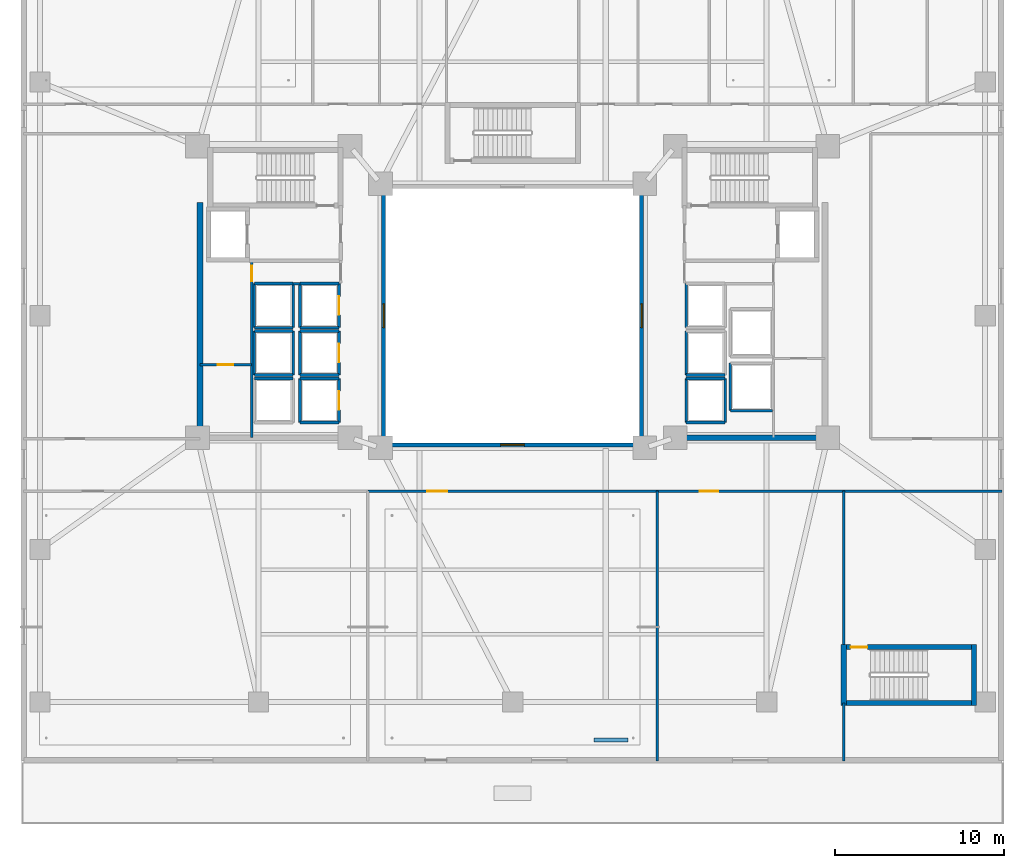
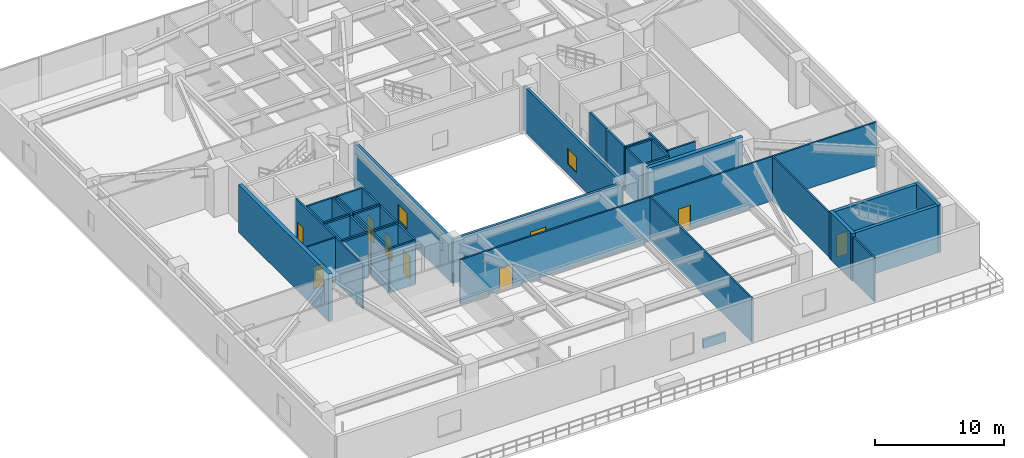
# One storey, part 9 of 22: 48 walls, 8 doors, 3 windows, 11 openings.
"""IFC4 building model written with IfcOpenShell, lengths in metres."""

from ifc_helpers import new_model, si_unit, direction, frame, frame_2d, origin, place, context, subcontext, project, spatial, rectangle, extrude, material, layer, layer_set, type_object, element, fill, save


model = new_model("IFC4")

# Units and contexts
model_context = context("Model", 3, precision=1e-05, world=origin(), true_north=direction((0.0, 1.0)))
body_context = subcontext(model_context, "Body", "Model", "MODEL_VIEW")
ifc_project = project(units=[si_unit("LENGTHUNIT", "METRE"), si_unit("AREAUNIT", "SQUARE_METRE"), si_unit("VOLUMEUNIT", "CUBIC_METRE"), si_unit("PLANEANGLEUNIT", "RADIAN"), si_unit("MASSUNIT", "GRAM", prefix="KILO")], contexts=[model_context])

# Site, building, storey
site_placement = place(None, origin())
site = spatial("IfcSite", under=ifc_project, at=site_placement, CompositionType="ELEMENT")
building_placement = place(site_placement, origin())
building = spatial("IfcBuilding", under=site, at=building_placement, Name="Tarnavaz Court Tower", CompositionType="ELEMENT")
storey_placement = place(building_placement, frame((0.0, 0.0, 14.39990234375)))
storey = spatial("IfcBuildingStorey", under=building, at=storey_placement, Name="L03", CompositionType="ELEMENT", Elevation=14.39990234375)

# Wall, opening, door
ifc_material_1 = material(Name="Concrete C60/75", Category="concrete")
ifc_layer_1 = layer(ifc_material_1, 0.300048828125)
ifc_layer_set_1 = layer_set([ifc_layer_1], Name="Concrete C60/75")
wall_type_1 = type_object("IfcWallType", Name="WL-CORE-300-C60", PredefinedType="SHEAR", material=ifc_layer_set_1)
wall_1_placement = place(storey_placement, frame((19.39990234375, -19.56005859375, 0.0), z_axis=(0.0, 0.0, 1.0), x_axis=(1.0, 0.0, 0.0)))
wall_1 = element("IfcWall", 1, at=wall_1_placement, inside=storey, type_object=wall_type_1, Name="L03 Podium Stair Core Wall 013", PredefinedType="SHEAR", context=body_context, shape_type="SweptSolid", body=[
    extrude(rectangle(XDim=8.0, YDim=0.300048828125, at=frame_2d((4.0, 0.0))), origin(), (0.0, 0.0, 1.0), 4.5),
])
opening_1_placement = place(wall_1_placement, frame((0.550048828125, 0.0, 0.0)))
opening_1 = element("IfcOpeningElement", 2, at=opening_1_placement, cuts=wall_1, Name="Opening D01", PredefinedType="OPENING", context=body_context, shape_type="SweptSolid", body=[
    extrude(rectangle(XDim=1.0, YDim=2.14990234375, at=frame_2d((0.5, 1.074951171875))), frame((0.0, 0.159912109375, 0.0), z_axis=(0.0, -1.0, 0.0), x_axis=(1.0, 0.0, 0.0)), (0.0, 0.0, 1.0), 0.320068359375),
])
ifc_material_2 = material(Name="Fire-Rated Hardwood Timber Core", Category="wood")
door_type_1 = type_object("IfcDoorType", Name="DR-FD90-1000", OperationType="NOTDEFINED", PredefinedType="DOOR", material=ifc_material_2)
door_1_placement = place(opening_1_placement, origin())
door_1 = element("IfcDoor", 3, at=door_1_placement, inside=storey, type_object=door_type_1, Name="L03 Stair ST-P1 Exit Door", OperationType="SINGLE_SWING_RIGHT", OverallHeight=2.14990234375, OverallWidth=1.0, PredefinedType="DOOR", context=body_context, shape_type="SweptSolid", body=[
    extrude(rectangle(XDim=1.0, YDim=2.14990234375, at=frame_2d((0.5, 1.074951171875))), frame((0.0, 0.02490234375, 0.0), z_axis=(0.0, -1.0, 0.0), x_axis=(1.0, 0.0, 0.0)), (0.0, 0.0, 1.0), 0.050048828125),
])
fill(opening_1, door_1)

# Walls
wall_2_placement = place(storey_placement, frame((19.39990234375, -22.85009765625, 0.0), z_axis=(0.0, 0.0, 1.0), x_axis=(1.0, 0.0, 0.0)))
element("IfcWall", 4, at=wall_2_placement, inside=storey, type_object=wall_type_1, Name="L03 Podium Stair Core Wall 014", PredefinedType="SHEAR", context=body_context, shape_type="SweptSolid", body=[
    extrude(rectangle(XDim=8.0, YDim=0.300048828125, at=frame_2d((4.0, 0.0))), origin(), (0.0, 0.0, 1.0), 4.5),
])
for number, where, z_axis, x_axis, name in (
    (5, (19.550048828125, -23.0, 0.0), (0.0, 0.0, 1.0), (0.0, 1.0, 0.0), "L03 Podium Stair Core Wall 015"),
    (6, (27.25, -23.0, 0.0), (0.0, 0.0, 1.0), (0.0, 1.0, 0.0), "L03 Podium Stair Core Wall 016"),
):
    element("IfcWall", number, at=place(storey_placement, frame(where, z_axis=z_axis, x_axis=x_axis)), inside=storey, type_object=wall_type_1, Name=name, PredefinedType="SHEAR", context=body_context, shape_type="SweptSolid", body=[
        extrude(rectangle(XDim=3.590087890625, YDim=0.300048828125, at=frame_2d((1.794921875, 0.0))), origin(), (0.0, 0.0, 1.0), 4.5),
    ])
ifc_layer_2 = layer(ifc_material_1, 0.35009765625)
ifc_layer_set_2 = layer_set([ifc_layer_2], Name="Concrete C60/75")
wall_type_2 = type_object("IfcWallType", Name="WL-CORE-350-C60", PredefinedType="SHEAR", material=ifc_layer_set_2)
wall_3_placement = place(storey_placement, frame((-18.449951171875, -7.375, 0.0), z_axis=(0.0, 0.0, 1.0), x_axis=(0.0, 1.0, 0.0)))
element("IfcWall", 7, at=wall_3_placement, inside=storey, type_object=wall_type_2, Name="L03 West Core Shear Wall 073", PredefinedType="SHEAR", context=body_context, shape_type="SweptSolid", body=[
    extrude(rectangle(XDim=14.050048828125, YDim=0.35009765625, at=frame_2d((7.02490234375, 0.0))), origin(), (0.0, 0.0, 1.0), 4.5),
])
wall_4_placement = place(storey_placement, frame((10.074951171875, -7.199951171875, 0.0), z_axis=(0.0, 0.0, 1.0), x_axis=(1.0, 0.0, 0.0)))
element("IfcWall", 8, at=wall_4_placement, inside=storey, type_object=wall_type_2, Name="L03 East Core South Shear Wall 076", PredefinedType="SHEAR", context=body_context, shape_type="SweptSolid", body=[
    extrude(rectangle(XDim=8.550048828125, YDim=0.35009765625, at=frame_2d((4.27490234375, 0.0))), origin(), (0.0, 0.0, 1.0), 4.5),
])

# Wall, opening, door
ifc_material_3 = material(Name="Gypsum Fire-Board on Acoustic Metal Stud", Category="masonry")
ifc_layer_3 = layer(ifc_material_3, 0.14990234375)
ifc_layer_set_3 = layer_set([ifc_layer_3], Name="Gypsum Fire-Board on Acoustic Metal Stud")
wall_type_3 = type_object("IfcWallType", Name="WL-FIRE-150", PredefinedType="PARTITIONING", material=ifc_layer_set_3)
wall_5_placement = place(storey_placement, frame((-8.550048828125, -10.35009765625, 0.0), z_axis=(0.0, 0.0, 1.0), x_axis=(1.0, 0.0, 0.0)))
wall_5 = element("IfcWall", 9, at=wall_5_placement, inside=storey, type_object=wall_type_3, Name="L03 South Ring Corridor Wall 089", PredefinedType="PARTITIONING", context=body_context, shape_type="SweptSolid", body=[
    extrude(rectangle(XDim=17.10009765625, YDim=0.14990234375, at=frame_2d((8.550048828125, 0.0))), origin(), (0.0, 0.0, 1.0), 4.2001953125),
])
opening_2_placement = place(wall_5_placement, frame((3.5, 0.0, 0.0)))
opening_2 = element("IfcOpeningElement", 10, at=opening_2_placement, cuts=wall_5, Name="Opening D11", PredefinedType="OPENING", context=body_context, shape_type="SweptSolid", body=[
    extrude(rectangle(XDim=1.199951171875, YDim=2.14990234375, at=frame_2d((0.60009765625, 1.074951171875))), frame((0.0, 0.0849609375, 0.0), z_axis=(0.0, -1.0, 0.0), x_axis=(1.0, 0.0, 0.0)), (0.0, 0.0, 1.0), 0.169921875),
])
ifc_material_4 = material(Name="Engineered Oak Timber", Category="wood")
door_type_2 = type_object("IfcDoorType", Name="DR-INT-1200", OperationType="NOTDEFINED", PredefinedType="DOOR", material=ifc_material_4)
door_2_placement = place(opening_2_placement, origin())
door_2 = element("IfcDoor", 11, at=door_2_placement, inside=storey, type_object=door_type_2, Name="L03 Parent and Community Welfare Lounge Door", OperationType="SINGLE_SWING_LEFT", OverallHeight=2.14990234375, OverallWidth=1.199951171875, PredefinedType="DOOR", context=body_context, shape_type="SweptSolid", body=[
    extrude(rectangle(XDim=1.199951171875, YDim=2.14990234375, at=frame_2d((0.60009765625, 1.074951171875))), frame((0.0, 0.02490234375, 0.0), z_axis=(0.0, -1.0, 0.0), x_axis=(1.0, 0.0, 0.0)), (0.0, 0.0, 1.0), 0.050048828125),
])
fill(opening_2, door_2)

wall_6_placement = place(storey_placement, frame((8.550048828125, -10.35009765625, 0.0), z_axis=(0.0, 0.0, 1.0), x_axis=(1.0, 0.0, 0.0)))
wall_6 = element("IfcWall", 12, at=wall_6_placement, inside=storey, type_object=wall_type_3, Name="L03 SE Corridor Wall 090", PredefinedType="PARTITIONING", context=body_context, shape_type="SweptSolid", body=[
    extrude(rectangle(XDim=20.329833984375, YDim=0.14990234375, at=frame_2d((10.1650390625, 0.0))), origin(), (0.0, 0.0, 1.0), 4.2001953125),
])
opening_3_placement = place(wall_6_placement, frame((2.5, 0.0, 0.0)))
opening_3 = element("IfcOpeningElement", 13, at=opening_3_placement, cuts=wall_6, Name="Opening D12", PredefinedType="OPENING", context=body_context, shape_type="SweptSolid", body=[
    extrude(rectangle(XDim=1.080078125, YDim=2.14990234375, at=frame_2d((0.5400390625, 1.074951171875))), frame((0.0, 0.0849609375, 0.0), z_axis=(0.0, -1.0, 0.0), x_axis=(1.0, 0.0, 0.0)), (0.0, 0.0, 1.0), 0.169921875),
])
door_type_3 = type_object("IfcDoorType", Name="DR-INT-1100", OperationType="NOTDEFINED", PredefinedType="DOOR", material=ifc_material_4)
door_3_placement = place(opening_3_placement, origin())
door_3 = element("IfcDoor", 14, at=door_3_placement, inside=storey, type_object=door_type_3, Name="L03 South-East Treatment Door", OperationType="SINGLE_SWING_RIGHT", OverallHeight=2.14990234375, OverallWidth=1.080078125, PredefinedType="DOOR", context=body_context, shape_type="SweptSolid", body=[
    extrude(rectangle(XDim=1.080078125, YDim=2.14990234375, at=frame_2d((0.5400390625, 1.074951171875))), frame((0.0, 0.02490234375, 0.0), z_axis=(0.0, -1.0, 0.0), x_axis=(1.0, 0.0, 0.0)), (0.0, 0.0, 1.0), 0.050048828125),
])
fill(opening_3, door_3)

# Walls
ifc_material_5 = material(Name="Precast Concrete C40/50", Category="concrete")
ifc_layer_4 = layer(ifc_material_5, 0.219970703125)
ifc_layer_set_4 = layer_set([ifc_layer_4], Name="Precast Concrete C40/50")
wall_type_4 = type_object("IfcWallType", Name="WL-PARAPET-220", PredefinedType="PARAPET", material=ifc_layer_set_4)
wall_7_placement = place(storey_placement, frame((4.800048828125, -25.050048828125, 0.0), z_axis=(0.0, 0.0, 1.0), x_axis=(1.0, 0.0, 0.0)))
element("IfcWall", 15, at=wall_7_placement, inside=storey, type_object=wall_type_4, Name="L03 South Prow Terracotta Parapet Upstand", PredefinedType="PARAPET", context=body_context, shape_type="SweptSolid", body=[
    extrude(rectangle(XDim=2.0, YDim=0.219970703125, at=frame_2d((1.0, 0.0))), origin(), (0.0, 0.0, 1.0), 0.85009765625),
])
ifc_material_6 = material(Name="Gypsum Plasterboard Acoustic Partition", Category="masonry")
ifc_layer_5 = layer(ifc_material_6, 0.139892578125)
ifc_layer_set_5 = layer_set([ifc_layer_5], Name="Gypsum Plasterboard Acoustic Partition")
wall_type_5 = type_object("IfcWallType", Name="WL-PART-150", PredefinedType="PARTITIONING", material=ifc_layer_set_5)
wall_8_placement = place(storey_placement, frame((-12.949951171875, 1.89990234375, 0.0), z_axis=(0.0, 0.0, 1.0), x_axis=(1.0, 0.0, 0.0)))
element("IfcWall", 16, at=wall_8_placement, inside=storey, type_object=wall_type_5, Name="L03 Interior Partition 077", PredefinedType="PARTITIONING", context=body_context, shape_type="SweptSolid", body=[
    extrude(rectangle(XDim=0.39990234375, YDim=0.139892578125, at=frame_2d((0.199951171875, 0.0))), origin(), (0.0, 0.0, 1.0), 4.2001953125),
])

# Wall, opening, door
wall_9_placement = place(storey_placement, frame((-15.39990234375, -7.199951171875, 0.0), z_axis=(0.0, 0.0, 1.0), x_axis=(0.0, 1.0, 0.0)))
wall_9 = element("IfcWall", 17, at=wall_9_placement, inside=storey, type_object=wall_type_5, Name="L03 Interior Partition 079", PredefinedType="PARTITIONING", context=body_context, shape_type="SweptSolid", body=[
    extrude(rectangle(XDim=10.449951171875, YDim=0.139892578125, at=frame_2d((5.22509765625, 0.0))), origin(), (0.0, 0.0, 1.0), 4.2001953125),
])
opening_4_placement = place(wall_9_placement, frame((9.25, 0.0, 0.0)))
opening_4 = element("IfcOpeningElement", 18, at=opening_4_placement, cuts=wall_9, Name="Opening D09", PredefinedType="OPENING", context=body_context, shape_type="SweptSolid", body=[
    extrude(rectangle(XDim=0.89990234375, YDim=2.080078125, at=frame_2d((0.449951171875, 1.0400390625))), frame((0.0, 0.079833984375, 0.0), z_axis=(0.0, -1.0, 0.0), x_axis=(1.0, 0.0, 0.0)), (0.0, 0.0, 1.0), 0.159912109375),
])
door_type_4 = type_object("IfcDoorType", Name="DR-FD30-900", OperationType="NOTDEFINED", PredefinedType="DOOR", material=ifc_material_2)
door_4_placement = place(opening_4_placement, origin())
door_4 = element("IfcDoor", 19, at=door_4_placement, inside=storey, type_object=door_type_4, Name="L03 West Valve Room Door", OperationType="SINGLE_SWING_LEFT", OverallHeight=2.080078125, OverallWidth=0.89990234375, PredefinedType="DOOR", context=body_context, shape_type="SweptSolid", body=[
    extrude(rectangle(XDim=0.89990234375, YDim=2.080078125, at=frame_2d((0.449951171875, 1.0400390625))), frame((0.0, 0.02490234375, 0.0), z_axis=(0.0, -1.0, 0.0), x_axis=(1.0, 0.0, 0.0)), (0.0, 0.0, 1.0), 0.050048828125),
])
fill(opening_4, door_4)

wall_10_placement = place(storey_placement, frame((-18.449951171875, -2.89990234375, 0.0), z_axis=(0.0, 0.0, 1.0), x_axis=(1.0, 0.0, 0.0)))
wall_10 = element("IfcWall", 20, at=wall_10_placement, inside=storey, type_object=wall_type_5, Name="L03 Interior Partition 080", PredefinedType="PARTITIONING", context=body_context, shape_type="SweptSolid", body=[
    extrude(rectangle(XDim=3.050048828125, YDim=0.139892578125, at=frame_2d((1.52490234375, 0.0))), origin(), (0.0, 0.0, 1.0), 4.2001953125),
])
opening_5_placement = place(wall_10_placement, frame((1.050048828125, 0.0, 0.0)))
opening_5 = element("IfcOpeningElement", 21, at=opening_5_placement, cuts=wall_10, Name="Opening D09", PredefinedType="OPENING", context=body_context, shape_type="SweptSolid", body=[
    extrude(rectangle(XDim=0.89990234375, YDim=2.080078125, at=frame_2d((0.449951171875, 1.0400390625))), frame((0.0, 0.079833984375, 0.0), z_axis=(0.0, -1.0, 0.0), x_axis=(1.0, 0.0, 0.0)), (0.0, 0.0, 1.0), 0.159912109375),
])
door_5_placement = place(opening_5_placement, origin())
door_5 = element("IfcDoor", 22, at=door_5_placement, inside=storey, type_object=door_type_4, Name="L03 West Power Plant Door", OperationType="SINGLE_SWING_RIGHT", OverallHeight=2.080078125, OverallWidth=0.89990234375, PredefinedType="DOOR", context=body_context, shape_type="SweptSolid", body=[
    extrude(rectangle(XDim=0.89990234375, YDim=2.080078125, at=frame_2d((0.449951171875, 1.0400390625))), frame((0.0, 0.02490234375, 0.0), z_axis=(0.0, -1.0, 0.0), x_axis=(1.0, 0.0, 0.0)), (0.0, 0.0, 1.0), 0.050048828125),
])
fill(opening_5, door_5)

# Walls
wall_11_placement = place(storey_placement, frame((8.550048828125, -26.280029296875, 0.0), z_axis=(0.0, 0.0, 1.0), x_axis=(0.0, 1.0, 0.0)))
element("IfcWall", 23, at=wall_11_placement, inside=storey, type_object=wall_type_5, Name="L03 Interior Partition 100", PredefinedType="PARTITIONING", context=body_context, shape_type="SweptSolid", body=[
    extrude(rectangle(XDim=15.929931640625, YDim=0.139892578125, at=frame_2d((7.96484375, 0.0))), origin(), (0.0, 0.0, 1.0), 4.2001953125),
])
wall_12_placement = place(storey_placement, frame((19.550048828125, -26.280029296875, 0.0), z_axis=(0.0, 0.0, 1.0), x_axis=(0.0, 1.0, 0.0)))
element("IfcWall", 24, at=wall_12_placement, inside=storey, type_object=wall_type_5, Name="L03 Interior Partition 101", PredefinedType="PARTITIONING", context=body_context, shape_type="SweptSolid", body=[
    extrude(rectangle(XDim=3.429931640625, YDim=0.139892578125, at=frame_2d((1.71484375, 0.0))), origin(), (0.0, 0.0, 1.0), 4.2001953125),
])
wall_13_placement = place(storey_placement, frame((19.550048828125, -19.56005859375, 0.0), z_axis=(0.0, 0.0, 1.0), x_axis=(0.0, 1.0, 0.0)))
element("IfcWall", 25, at=wall_13_placement, inside=storey, type_object=wall_type_5, Name="L03 Interior Partition 102", PredefinedType="PARTITIONING", context=body_context, shape_type="SweptSolid", body=[
    extrude(rectangle(XDim=9.2099609375, YDim=0.139892578125, at=frame_2d((4.60498046875, 0.0))), origin(), (0.0, 0.0, 1.0), 4.2001953125),
])
ifc_material_7 = material(Name="Autoclaved Aerated Concrete Blockwork", Category="masonry")
ifc_layer_6 = layer(ifc_material_7, 0.159912109375)
ifc_layer_set_6 = layer_set([ifc_layer_6], Name="Autoclaved Aerated Concrete Blockwork")
wall_type_6 = type_object("IfcWallType", Name="WL-SHAFT-150", PredefinedType="SOLIDWALL", material=ifc_layer_set_6)
wall_14_placement = place(storey_placement, frame((-12.550048828125, -6.300048828125, 0.0), z_axis=(0.0, 0.0, 1.0), x_axis=(0.0, 1.0, 0.0)))
element("IfcWall", 26, at=wall_14_placement, inside=storey, type_object=wall_type_6, Name="L03 Lift PL-L1 Shaft Wall 025", PredefinedType="SOLIDWALL", context=body_context, shape_type="SweptSolid", body=[
    extrude(rectangle(XDim=2.60009765625, YDim=0.159912109375, at=frame_2d((1.300048828125, 0.0))), origin(), (0.0, 0.0, 1.0), 4.2001953125),
])

# Wall, opening, door
wall_15_placement = place(storey_placement, frame((-10.25, -6.300048828125, 0.0), z_axis=(0.0, 0.0, 1.0), x_axis=(0.0, 1.0, 0.0)))
wall_15 = element("IfcWall", 27, at=wall_15_placement, inside=storey, type_object=wall_type_6, Name="L03 Lift PL-L1 Shaft Wall 026", PredefinedType="SOLIDWALL", context=body_context, shape_type="SweptSolid", body=[
    extrude(rectangle(XDim=2.60009765625, YDim=0.159912109375, at=frame_2d((1.300048828125, 0.0))), origin(), (0.0, 0.0, 1.0), 4.2001953125),
])
opening_6_placement = place(wall_15_placement, frame((0.75, 0.0, 0.0)))
opening_6 = element("IfcOpeningElement", 28, at=opening_6_placement, cuts=wall_15, Name="Opening LD1", PredefinedType="OPENING", context=body_context, shape_type="SweptSolid", body=[
    extrude(rectangle(XDim=1.10009765625, YDim=2.14990234375, at=frame_2d((0.550048828125, 1.074951171875))), frame((0.0, 0.08984375, 0.0), z_axis=(0.0, -1.0, 0.0), x_axis=(1.0, 0.0, 0.0)), (0.0, 0.0, 1.0), 0.179931640625),
])
ifc_material_8 = material(Name="Stainless Steel", Category="steel")
door_type_5 = type_object("IfcDoorType", Name="DR-LD-1100", OperationType="NOTDEFINED", PredefinedType="DOOR", material=ifc_material_8)
door_6_placement = place(opening_6_placement, origin())
door_6 = element("IfcDoor", 29, at=door_6_placement, inside=storey, type_object=door_type_5, Name="L03 Lift Landing Door LD-PL-L1", OperationType="SLIDING_TO_LEFT", OverallHeight=2.14990234375, OverallWidth=1.10009765625, PredefinedType="DOOR", context=body_context, shape_type="SweptSolid", body=[
    extrude(rectangle(XDim=1.10009765625, YDim=2.14990234375, at=frame_2d((0.550048828125, 1.074951171875))), frame((0.0, 0.02490234375, 0.0), z_axis=(0.0, -1.0, 0.0), x_axis=(1.0, 0.0, 0.0)), (0.0, 0.0, 1.0), 0.050048828125),
])
fill(opening_6, door_6)

# Walls
for number, where, z_axis, x_axis, name in (
    (30, (-12.550048828125, -6.300048828125, 0.0), (0.0, 0.0, 1.0), (1.0, 0.0, 0.0), "L03 Lift PL-L1 Shaft Wall 027"),
    (31, (-12.550048828125, -3.699951171875, 0.0), (0.0, 0.0, 1.0), (1.0, 0.0, 0.0), "L03 Lift PL-L1 Shaft Wall 028"),
):
    element("IfcWall", number, at=place(storey_placement, frame(where, z_axis=z_axis, x_axis=x_axis)), inside=storey, type_object=wall_type_6, Name=name, PredefinedType="SOLIDWALL", context=body_context, shape_type="SweptSolid", body=[
        extrude(rectangle(XDim=2.300048828125, YDim=0.159912109375, at=frame_2d((1.14990234375, 0.0))), origin(), (0.0, 0.0, 1.0), 4.2001953125),
    ])
wall_16_placement = place(storey_placement, frame((-12.550048828125, -3.5, 0.0), z_axis=(0.0, 0.0, 1.0), x_axis=(0.0, 1.0, 0.0)))
element("IfcWall", 32, at=wall_16_placement, inside=storey, type_object=wall_type_6, Name="L03 Lift PL-L2 Shaft Wall 029", PredefinedType="SOLIDWALL", context=body_context, shape_type="SweptSolid", body=[
    extrude(rectangle(XDim=2.60009765625, YDim=0.159912109375, at=frame_2d((1.300048828125, 0.0))), origin(), (0.0, 0.0, 1.0), 4.2001953125),
])

# Wall, opening, door
wall_17_placement = place(storey_placement, frame((-10.25, -3.5, 0.0), z_axis=(0.0, 0.0, 1.0), x_axis=(0.0, 1.0, 0.0)))
wall_17 = element("IfcWall", 33, at=wall_17_placement, inside=storey, type_object=wall_type_6, Name="L03 Lift PL-L2 Shaft Wall 030", PredefinedType="SOLIDWALL", context=body_context, shape_type="SweptSolid", body=[
    extrude(rectangle(XDim=2.60009765625, YDim=0.159912109375, at=frame_2d((1.300048828125, 0.0))), origin(), (0.0, 0.0, 1.0), 4.2001953125),
])
opening_7_placement = place(wall_17_placement, frame((0.75, 0.0, 0.0)))
opening_7 = element("IfcOpeningElement", 34, at=opening_7_placement, cuts=wall_17, Name="Opening LD1", PredefinedType="OPENING", context=body_context, shape_type="SweptSolid", body=[
    extrude(rectangle(XDim=1.10009765625, YDim=2.14990234375, at=frame_2d((0.550048828125, 1.074951171875))), frame((0.0, 0.08984375, 0.0), z_axis=(0.0, -1.0, 0.0), x_axis=(1.0, 0.0, 0.0)), (0.0, 0.0, 1.0), 0.179931640625),
])
door_7_placement = place(opening_7_placement, origin())
door_7 = element("IfcDoor", 35, at=door_7_placement, inside=storey, type_object=door_type_5, Name="L03 Lift Landing Door LD-PL-L2", OperationType="SLIDING_TO_LEFT", OverallHeight=2.14990234375, OverallWidth=1.10009765625, PredefinedType="DOOR", context=body_context, shape_type="SweptSolid", body=[
    extrude(rectangle(XDim=1.10009765625, YDim=2.14990234375, at=frame_2d((0.550048828125, 1.074951171875))), frame((0.0, 0.02490234375, 0.0), z_axis=(0.0, -1.0, 0.0), x_axis=(1.0, 0.0, 0.0)), (0.0, 0.0, 1.0), 0.050048828125),
])
fill(opening_7, door_7)

# Walls
for number, where, z_axis, x_axis, name in (
    (36, (-12.550048828125, -3.5, 0.0), (0.0, 0.0, 1.0), (1.0, 0.0, 0.0), "L03 Lift PL-L2 Shaft Wall 031"),
    (37, (-12.550048828125, -0.89990234375, 0.0), (0.0, 0.0, 1.0), (1.0, 0.0, 0.0), "L03 Lift PL-L2 Shaft Wall 032"),
):
    element("IfcWall", number, at=place(storey_placement, frame(where, z_axis=z_axis, x_axis=x_axis)), inside=storey, type_object=wall_type_6, Name=name, PredefinedType="SOLIDWALL", context=body_context, shape_type="SweptSolid", body=[
        extrude(rectangle(XDim=2.300048828125, YDim=0.159912109375, at=frame_2d((1.14990234375, 0.0))), origin(), (0.0, 0.0, 1.0), 4.2001953125),
    ])
wall_18_placement = place(storey_placement, frame((-12.550048828125, -0.699951171875, 0.0), z_axis=(0.0, 0.0, 1.0), x_axis=(0.0, 1.0, 0.0)))
element("IfcWall", 38, at=wall_18_placement, inside=storey, type_object=wall_type_6, Name="L03 Lift PL-L3 Shaft Wall 033", PredefinedType="SOLIDWALL", context=body_context, shape_type="SweptSolid", body=[
    extrude(rectangle(XDim=2.599853515625, YDim=0.159912109375, at=frame_2d((1.2998046875, 0.0))), origin(), (0.0, 0.0, 1.0), 4.2001953125),
])

# Wall, opening, door
wall_19_placement = place(storey_placement, frame((-10.25, -0.699951171875, 0.0), z_axis=(0.0, 0.0, 1.0), x_axis=(0.0, 1.0, 0.0)))
wall_19 = element("IfcWall", 39, at=wall_19_placement, inside=storey, type_object=wall_type_6, Name="L03 Lift PL-L3 Shaft Wall 034", PredefinedType="SOLIDWALL", context=body_context, shape_type="SweptSolid", body=[
    extrude(rectangle(XDim=2.599853515625, YDim=0.159912109375, at=frame_2d((1.2998046875, 0.0))), origin(), (0.0, 0.0, 1.0), 4.2001953125),
])
opening_8_placement = place(wall_19_placement, frame((0.75, 0.0, 0.0)))
opening_8 = element("IfcOpeningElement", 40, at=opening_8_placement, cuts=wall_19, Name="Opening LD1", PredefinedType="OPENING", context=body_context, shape_type="SweptSolid", body=[
    extrude(rectangle(XDim=1.10009765625, YDim=2.14990234375, at=frame_2d((0.550048828125, 1.074951171875))), frame((0.0, 0.08984375, 0.0), z_axis=(0.0, -1.0, 0.0), x_axis=(1.0, 0.0, 0.0)), (0.0, 0.0, 1.0), 0.179931640625),
])
door_8_placement = place(opening_8_placement, origin())
door_8 = element("IfcDoor", 41, at=door_8_placement, inside=storey, type_object=door_type_5, Name="L03 Lift Landing Door LD-PL-L3", OperationType="SLIDING_TO_LEFT", OverallHeight=2.14990234375, OverallWidth=1.10009765625, PredefinedType="DOOR", context=body_context, shape_type="SweptSolid", body=[
    extrude(rectangle(XDim=1.10009765625, YDim=2.14990234375, at=frame_2d((0.550048828125, 1.074951171875))), frame((0.0, 0.02490234375, 0.0), z_axis=(0.0, -1.0, 0.0), x_axis=(1.0, 0.0, 0.0)), (0.0, 0.0, 1.0), 0.050048828125),
])
fill(opening_8, door_8)

# Walls
for number, where, z_axis, x_axis, name in (
    (42, (-12.550048828125, -0.699951171875, 0.0), (0.0, 0.0, 1.0), (1.0, 0.0, 0.0), "L03 Lift PL-L3 Shaft Wall 035"),
    (43, (-12.550048828125, 1.89990234375, 0.0), (0.0, 0.0, 1.0), (1.0, 0.0, 0.0), "L03 Lift PL-L3 Shaft Wall 036"),
    (44, (-15.25, -3.699951171875, 0.0), (0.0, 0.0, 1.0), (1.0, 0.0, 0.0), "L03 Lift PL-H1 Shaft Wall 040"),
):
    element("IfcWall", number, at=place(storey_placement, frame(where, z_axis=z_axis, x_axis=x_axis)), inside=storey, type_object=wall_type_6, Name=name, PredefinedType="SOLIDWALL", context=body_context, shape_type="SweptSolid", body=[
        extrude(rectangle(XDim=2.300048828125, YDim=0.159912109375, at=frame_2d((1.14990234375, 0.0))), origin(), (0.0, 0.0, 1.0), 4.2001953125),
    ])
for number, where, z_axis, x_axis, name in (
    (45, (-15.25, -3.5, 0.0), (0.0, 0.0, 1.0), (0.0, 1.0, 0.0), "L03 Lift PL-H2 Shaft Wall 041"),
    (46, (-12.949951171875, -3.5, 0.0), (0.0, 0.0, 1.0), (0.0, 1.0, 0.0), "L03 Lift PL-H2 Shaft Wall 042"),
):
    element("IfcWall", number, at=place(storey_placement, frame(where, z_axis=z_axis, x_axis=x_axis)), inside=storey, type_object=wall_type_6, Name=name, PredefinedType="SOLIDWALL", context=body_context, shape_type="SweptSolid", body=[
        extrude(rectangle(XDim=2.60009765625, YDim=0.159912109375, at=frame_2d((1.300048828125, 0.0))), origin(), (0.0, 0.0, 1.0), 4.2001953125),
    ])
for number, where, z_axis, x_axis, name in (
    (47, (-15.25, -3.5, 0.0), (0.0, 0.0, 1.0), (1.0, 0.0, 0.0), "L03 Lift PL-H2 Shaft Wall 043"),
    (48, (-15.25, -0.89990234375, 0.0), (0.0, 0.0, 1.0), (1.0, 0.0, 0.0), "L03 Lift PL-H2 Shaft Wall 044"),
):
    element("IfcWall", number, at=place(storey_placement, frame(where, z_axis=z_axis, x_axis=x_axis)), inside=storey, type_object=wall_type_6, Name=name, PredefinedType="SOLIDWALL", context=body_context, shape_type="SweptSolid", body=[
        extrude(rectangle(XDim=2.300048828125, YDim=0.159912109375, at=frame_2d((1.14990234375, 0.0))), origin(), (0.0, 0.0, 1.0), 4.2001953125),
    ])
for number, where, z_axis, x_axis, name in (
    (49, (-15.25, -0.699951171875, 0.0), (0.0, 0.0, 1.0), (0.0, 1.0, 0.0), "L03 Lift PL-H3 Shaft Wall 045"),
    (50, (-12.949951171875, -0.699951171875, 0.0), (0.0, 0.0, 1.0), (0.0, 1.0, 0.0), "L03 Lift PL-H3 Shaft Wall 046"),
):
    element("IfcWall", number, at=place(storey_placement, frame(where, z_axis=z_axis, x_axis=x_axis)), inside=storey, type_object=wall_type_6, Name=name, PredefinedType="SOLIDWALL", context=body_context, shape_type="SweptSolid", body=[
        extrude(rectangle(XDim=2.599853515625, YDim=0.159912109375, at=frame_2d((1.2998046875, 0.0))), origin(), (0.0, 0.0, 1.0), 4.2001953125),
    ])
for number, where, z_axis, x_axis, name in (
    (51, (-15.25, -0.699951171875, 0.0), (0.0, 0.0, 1.0), (1.0, 0.0, 0.0), "L03 Lift PL-H3 Shaft Wall 047"),
    (52, (-15.25, 1.89990234375, 0.0), (0.0, 0.0, 1.0), (1.0, 0.0, 0.0), "L03 Lift PL-H3 Shaft Wall 048"),
):
    element("IfcWall", number, at=place(storey_placement, frame(where, z_axis=z_axis, x_axis=x_axis)), inside=storey, type_object=wall_type_6, Name=name, PredefinedType="SOLIDWALL", context=body_context, shape_type="SweptSolid", body=[
        extrude(rectangle(XDim=2.300048828125, YDim=0.159912109375, at=frame_2d((1.14990234375, 0.0))), origin(), (0.0, 0.0, 1.0), 4.2001953125),
    ])
for number, where, z_axis, x_axis, name in (
    (53, (10.25, -6.300048828125, 0.0), (0.0, 0.0, 1.0), (0.0, 1.0, 0.0), "L03 Lift PL-M1 Shaft Wall 053"),
    (54, (12.550048828125, -6.300048828125, 0.0), (0.0, 0.0, 1.0), (0.0, 1.0, 0.0), "L03 Lift PL-M1 Shaft Wall 054"),
):
    element("IfcWall", number, at=place(storey_placement, frame(where, z_axis=z_axis, x_axis=x_axis)), inside=storey, type_object=wall_type_6, Name=name, PredefinedType="SOLIDWALL", context=body_context, shape_type="SweptSolid", body=[
        extrude(rectangle(XDim=2.60009765625, YDim=0.159912109375, at=frame_2d((1.300048828125, 0.0))), origin(), (0.0, 0.0, 1.0), 4.2001953125),
    ])
for number, where, z_axis, x_axis, name in (
    (55, (10.25, -6.300048828125, 0.0), (0.0, 0.0, 1.0), (1.0, 0.0, 0.0), "L03 Lift PL-M1 Shaft Wall 055"),
    (56, (10.25, -3.699951171875, 0.0), (0.0, 0.0, 1.0), (1.0, 0.0, 0.0), "L03 Lift PL-M1 Shaft Wall 056"),
):
    element("IfcWall", number, at=place(storey_placement, frame(where, z_axis=z_axis, x_axis=x_axis)), inside=storey, type_object=wall_type_6, Name=name, PredefinedType="SOLIDWALL", context=body_context, shape_type="SweptSolid", body=[
        extrude(rectangle(XDim=2.300048828125, YDim=0.159912109375, at=frame_2d((1.14990234375, 0.0))), origin(), (0.0, 0.0, 1.0), 4.2001953125),
    ])
wall_20_placement = place(storey_placement, frame((10.25, -3.5, 0.0), z_axis=(0.0, 0.0, 1.0), x_axis=(0.0, 1.0, 0.0)))
element("IfcWall", 57, at=wall_20_placement, inside=storey, type_object=wall_type_6, Name="L03 Lift PL-M2 Shaft Wall 057", PredefinedType="SOLIDWALL", context=body_context, shape_type="SweptSolid", body=[
    extrude(rectangle(XDim=2.60009765625, YDim=0.159912109375, at=frame_2d((1.300048828125, 0.0))), origin(), (0.0, 0.0, 1.0), 4.2001953125),
])
wall_21_placement = place(storey_placement, frame((10.25, -3.5, 0.0), z_axis=(0.0, 0.0, 1.0), x_axis=(1.0, 0.0, 0.0)))
element("IfcWall", 58, at=wall_21_placement, inside=storey, type_object=wall_type_6, Name="L03 Lift PL-M2 Shaft Wall 059", PredefinedType="SOLIDWALL", context=body_context, shape_type="SweptSolid", body=[
    extrude(rectangle(XDim=2.300048828125, YDim=0.159912109375, at=frame_2d((1.14990234375, 0.0))), origin(), (0.0, 0.0, 1.0), 4.2001953125),
])
wall_22_placement = place(storey_placement, frame((10.25, -0.699951171875, 0.0), z_axis=(0.0, 0.0, 1.0), x_axis=(0.0, 1.0, 0.0)))
element("IfcWall", 59, at=wall_22_placement, inside=storey, type_object=wall_type_6, Name="L03 Lift PL-M3 Shaft Wall 061", PredefinedType="SOLIDWALL", context=body_context, shape_type="SweptSolid", body=[
    extrude(rectangle(XDim=2.599853515625, YDim=0.159912109375, at=frame_2d((1.2998046875, 0.0))), origin(), (0.0, 0.0, 1.0), 4.2001953125),
])
wall_23_placement = place(storey_placement, frame((12.85009765625, -5.60009765625, 0.0), z_axis=(0.0, 0.0, 1.0), x_axis=(0.0, 1.0, 0.0)))
element("IfcWall", 60, at=wall_23_placement, inside=storey, type_object=wall_type_6, Name="L03 Lift PL-OB1 Shaft Wall 065", PredefinedType="SOLIDWALL", context=body_context, shape_type="SweptSolid", body=[
    extrude(rectangle(XDim=2.800048828125, YDim=0.159912109375, at=frame_2d((1.39990234375, 0.0))), origin(), (0.0, 0.0, 1.0), 4.2001953125),
])
wall_24_placement = place(storey_placement, frame((12.85009765625, -5.60009765625, 0.0), z_axis=(0.0, 0.0, 1.0), x_axis=(1.0, 0.0, 0.0)))
element("IfcWall", 61, at=wall_24_placement, inside=storey, type_object=wall_type_6, Name="L03 Lift PL-OB1 Shaft Wall 067", PredefinedType="SOLIDWALL", context=body_context, shape_type="SweptSolid", body=[
    extrude(rectangle(XDim=2.5, YDim=0.159912109375, at=frame_2d((1.25, 0.0))), origin(), (0.0, 0.0, 1.0), 4.2001953125),
])

# Wall, opening, window
ifc_layer_7 = layer(ifc_material_5, 0.239990234375)
ifc_layer_set_7 = layer_set([ifc_layer_7], Name="Precast Concrete C40/50")
wall_type_7 = type_object("IfcWallType", Name="WL-WELL-240", PredefinedType="SOLIDWALL", material=ifc_layer_set_7)
wall_25_placement = place(storey_placement, frame((-7.6201171875, -7.6201171875, 0.0), z_axis=(0.0, 0.0, 1.0), x_axis=(1.0, 0.0, 0.0)))
wall_25 = element("IfcWall", 62, at=wall_25_placement, inside=storey, type_object=wall_type_7, Name="L03 Badgir Light-Well Exterior Wall S", PredefinedType="SOLIDWALL", context=body_context, shape_type="SweptSolid", body=[
    extrude(rectangle(XDim=15.240234375, YDim=0.239990234375, at=frame_2d((7.6201171875, 0.0))), origin(), (0.0, 0.0, 1.0), 4.2001953125),
])
opening_9_placement = place(wall_25_placement, frame((6.919921875, 0.0, 0.949951171875)))
opening_9 = element("IfcOpeningElement", 63, at=opening_9_placement, cuts=wall_25, Name="Opening W13", PredefinedType="OPENING", context=body_context, shape_type="SweptSolid", body=[
    extrude(rectangle(XDim=1.39990234375, YDim=1.5, at=frame_2d((0.699951171875, 0.75))), frame((0.0, 0.1298828125, 0.0), z_axis=(0.0, -1.0, 0.0), x_axis=(1.0, 0.0, 0.0)), (0.0, 0.0, 1.0), 0.260009765625),
])
ifc_material_9 = material(Name="Double-Glazed Solar Low-E Glass", Category="glass")
window_type = type_object("IfcWindowType", Name="WN-WEL-1400", PartitioningType="SINGLE_PANEL", PredefinedType="WINDOW", material=ifc_material_9)
window_1_placement = place(opening_9_placement, origin())
window_1 = element("IfcWindow", 64, at=window_1_placement, inside=storey, type_object=window_type, Name="L03 Courtyard Gallery Window S", OverallHeight=1.5, OverallWidth=1.39990234375, PartitioningType="SINGLE_PANEL", PredefinedType="WINDOW", context=body_context, shape_type="SweptSolid", body=[
    extrude(rectangle(XDim=1.39990234375, YDim=1.5, at=frame_2d((0.699951171875, 0.75))), frame((0.0, 0.030029296875, 0.0), z_axis=(0.0, -1.0, 0.0), x_axis=(1.0, 0.0, 0.0)), (0.0, 0.0, 1.0), 0.06005859375),
])
fill(opening_9, window_1)

wall_26_placement = place(storey_placement, frame((7.6201171875, -7.6201171875, 0.0), z_axis=(0.0, 0.0, 1.0), x_axis=(0.0, 1.0, 0.0)))
wall_26 = element("IfcWall", 65, at=wall_26_placement, inside=storey, type_object=wall_type_7, Name="L03 Badgir Light-Well Exterior Wall E", PredefinedType="SOLIDWALL", context=body_context, shape_type="SweptSolid", body=[
    extrude(rectangle(XDim=15.240234375, YDim=0.239990234375, at=frame_2d((7.6201171875, 0.0))), origin(), (0.0, 0.0, 1.0), 4.2001953125),
])
opening_10_placement = place(wall_26_placement, frame((6.919921875, 0.0, 0.949951171875)))
opening_10 = element("IfcOpeningElement", 66, at=opening_10_placement, cuts=wall_26, Name="Opening W13", PredefinedType="OPENING", context=body_context, shape_type="SweptSolid", body=[
    extrude(rectangle(XDim=1.39990234375, YDim=1.5, at=frame_2d((0.699951171875, 0.75))), frame((0.0, 0.1298828125, 0.0), z_axis=(0.0, -1.0, 0.0), x_axis=(1.0, 0.0, 0.0)), (0.0, 0.0, 1.0), 0.260009765625),
])
window_2_placement = place(opening_10_placement, origin())
window_2 = element("IfcWindow", 67, at=window_2_placement, inside=storey, type_object=window_type, Name="L03 Courtyard Gallery Window E", OverallHeight=1.5, OverallWidth=1.39990234375, PartitioningType="SINGLE_PANEL", PredefinedType="WINDOW", context=body_context, shape_type="SweptSolid", body=[
    extrude(rectangle(XDim=1.39990234375, YDim=1.5, at=frame_2d((0.699951171875, 0.75))), frame((0.0, 0.030029296875, 0.0), z_axis=(0.0, -1.0, 0.0), x_axis=(1.0, 0.0, 0.0)), (0.0, 0.0, 1.0), 0.06005859375),
])
fill(opening_10, window_2)

wall_27_placement = place(storey_placement, frame((-7.6201171875, 7.6201171875, 0.0), z_axis=(0.0, 0.0, 1.0), x_axis=(0.0, -1.0, 0.0)))
wall_27 = element("IfcWall", 68, at=wall_27_placement, inside=storey, type_object=wall_type_7, Name="L03 Badgir Light-Well Exterior Wall W", PredefinedType="SOLIDWALL", context=body_context, shape_type="SweptSolid", body=[
    extrude(rectangle(XDim=15.240234375, YDim=0.239990234375, at=frame_2d((7.6201171875, 0.0))), origin(), (0.0, 0.0, 1.0), 4.2001953125),
])
opening_11_placement = place(wall_27_placement, frame((6.919921875, 0.0, 0.949951171875)))
opening_11 = element("IfcOpeningElement", 69, at=opening_11_placement, cuts=wall_27, Name="Opening W13", PredefinedType="OPENING", context=body_context, shape_type="SweptSolid", body=[
    extrude(rectangle(XDim=1.39990234375, YDim=1.5, at=frame_2d((0.699951171875, 0.75))), frame((0.0, 0.1298828125, 0.0), z_axis=(0.0, -1.0, 0.0), x_axis=(1.0, 0.0, 0.0)), (0.0, 0.0, 1.0), 0.260009765625),
])
window_3_placement = place(opening_11_placement, origin())
window_3 = element("IfcWindow", 70, at=window_3_placement, inside=storey, type_object=window_type, Name="L03 Courtyard Gallery Window W", OverallHeight=1.5, OverallWidth=1.39990234375, PartitioningType="SINGLE_PANEL", PredefinedType="WINDOW", context=body_context, shape_type="SweptSolid", body=[
    extrude(rectangle(XDim=1.39990234375, YDim=1.5, at=frame_2d((0.699951171875, 0.75))), frame((0.0, 0.030029296875, 0.0), z_axis=(0.0, -1.0, 0.0), x_axis=(1.0, 0.0, 0.0)), (0.0, 0.0, 1.0), 0.06005859375),
])
fill(opening_11, window_3)

save(model, "model.ifc")
